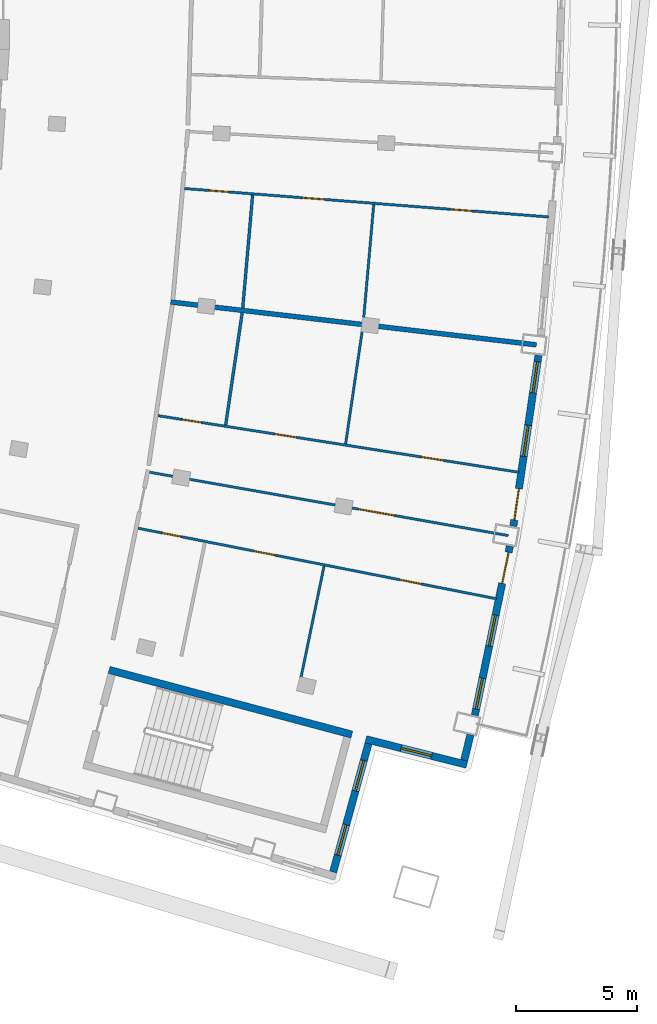
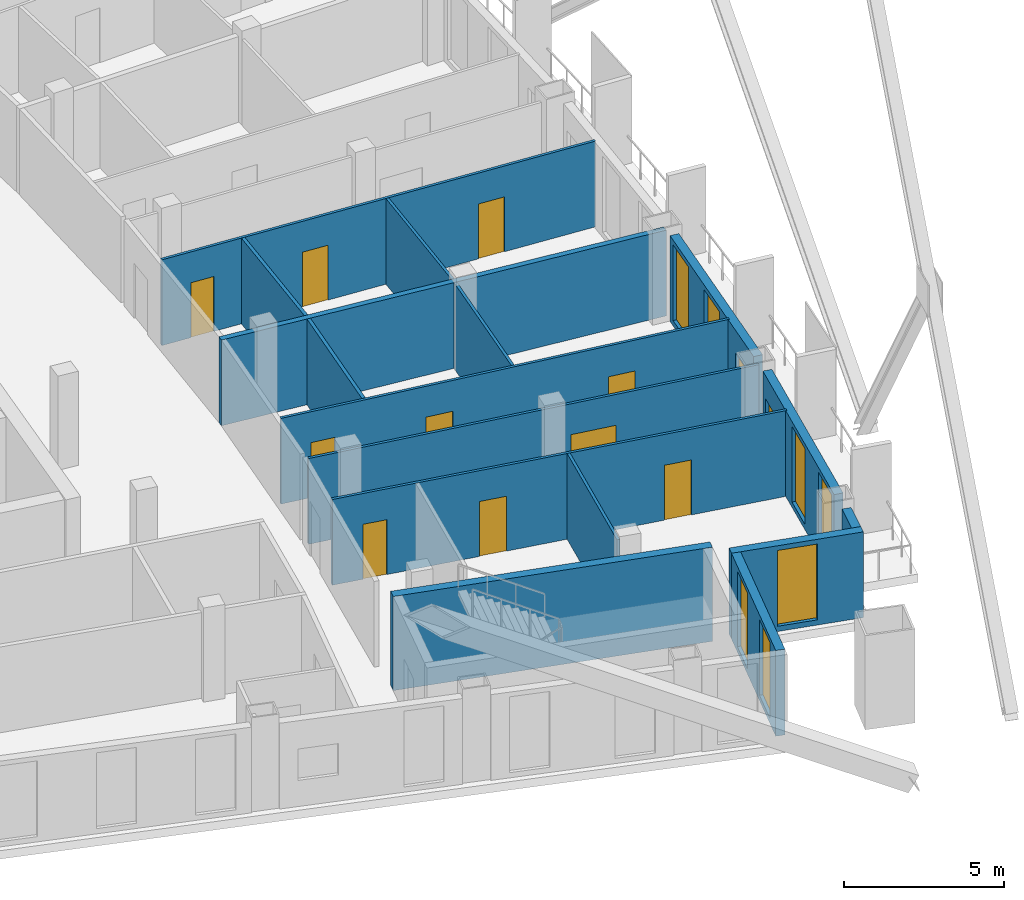
# One storey, part 9 of 21: 16 walls, 12 doors, 7 windows, 19 openings.
"""IFC4 building model written with IfcOpenShell, lengths in metres."""

from ifc_helpers import new_model, si_unit, direction, frame, frame_2d, origin, place, context, subcontext, project, spatial, rectangle, extrude, material, layer, layer_set, type_object, element, fill, save


model = new_model("IFC4")

# Units and contexts
model_context = context("Model", 3, precision=1e-05, world=origin(), true_north=direction((0.0, 1.0)))
body_context = subcontext(model_context, "Body", "Model", "MODEL_VIEW")
ifc_project = project(units=[si_unit("LENGTHUNIT", "METRE"), si_unit("AREAUNIT", "SQUARE_METRE"), si_unit("VOLUMEUNIT", "CUBIC_METRE"), si_unit("PLANEANGLEUNIT", "RADIAN"), si_unit("MASSUNIT", "GRAM", prefix="KILO")], contexts=[model_context])

# Site, building, storey
site_placement = place(None, origin())
site = spatial("IfcSite", under=ifc_project, at=site_placement, CompositionType="ELEMENT")
building_placement = place(site_placement, origin())
building = spatial("IfcBuilding", under=site, at=building_placement, Name="Alderwake Tower", CompositionType="ELEMENT")
storey_placement = place(building_placement, frame((0.0, 0.0, 267.199951171875)))
storey = spatial("IfcBuildingStorey", under=building, at=storey_placement, Name="L66", CompositionType="ELEMENT", Elevation=267.199951171875)

# Walls
ifc_material_1 = material(Name="Concrete C70/85", Category="concrete")
ifc_layer_1 = layer(ifc_material_1, 0.300048828125)
ifc_layer_set_1 = layer_set([ifc_layer_1], Name="Core wall stair enclosure 300 C70-85")
wall_type_1 = type_object("IfcWallType", Name="Core wall stair enclosure 300 C70-85", PredefinedType="SHEAR", material=ifc_layer_set_1)
wall_1_placement = place(storey_placement, frame((37.75390625, 31.731201171875, 0.0), z_axis=(0.0, 0.0, 1.0), x_axis=(0.966309214305, -0.257383958996, 0.0)))
element("IfcWall", 1, at=wall_1_placement, inside=storey, type_object=wall_type_1, Name="Core wall CW.086", PredefinedType="SHEAR", context=body_context, shape_type="SweptSolid", body=[
    extrude(rectangle(XDim=10.360107421875, YDim=0.300048828125, at=frame_2d((5.18017578125, 0.0))), origin(), (0.0, 0.0, 1.0), 3.60009765625),
])
ifc_material_2 = material(Name="Precast concrete C50/60 spandrel panel", Category="concrete")
ifc_layer_2 = layer(ifc_material_2, 0.300048828125)
ifc_layer_set_2 = layer_set([ifc_layer_2], Name="External wall EW1 Precast concrete C50/60 spandrel")
wall_type_2 = type_object("IfcWallType", Name="External wall EW1 Precast concrete C50/60 spandrel", PredefinedType="SOLIDWALL", material=ifc_layer_set_2)
wall_2_placement = place(storey_placement, frame((52.397216796875, 28.002685546875, 0.0), z_axis=(0.0, 0.0, 1.0), x_axis=(0.238401816039, 0.971166604713, 0.0)))
element("IfcWall", 2, at=wall_2_placement, inside=storey, type_object=wall_type_2, Name="External wall 11", PredefinedType="SOLIDWALL", context=body_context, shape_type="SweptSolid", body=[
    extrude(rectangle(XDim=1.08447265625, YDim=0.300048828125, at=frame_2d((0.542236328125, 0.0))), origin(), (0.0, 0.0, 1.0), 3.280029296875),
])

# Wall, openings, door, windows
wall_3_placement = place(storey_placement, frame((52.837890625, 29.86279296875, 0.0), z_axis=(0.0, 0.0, 1.0), x_axis=(0.202756509143, 0.979229185635, 0.0)))
wall_3 = element("IfcWall", 3, at=wall_3_placement, inside=storey, type_object=wall_type_2, Name="External wall 12", PredefinedType="SOLIDWALL", context=body_context, shape_type="SweptSolid", body=[
    extrude(rectangle(XDim=7.114990234375, YDim=0.300048828125, at=frame_2d((3.5576171875, 0.0))), origin(), (0.0, 0.0, 1.0), 3.280029296875),
])
opening_1_placement = place(wall_3_placement, frame((0.259521484375, 0.0, 0.199951171875)))
opening_1 = element("IfcOpeningElement", 4, at=opening_1_placement, cuts=wall_3, Name="Opening W1", PredefinedType="OPENING", context=body_context, shape_type="SweptSolid", body=[
    extrude(rectangle(XDim=1.300048828125, YDim=2.89990234375, at=frame_2d((0.64990234375, 1.449951171875))), frame((0.0, 0.159912109375, 0.0), z_axis=(0.0, -1.0, 0.0), x_axis=(1.0, 0.0, 0.0)), (0.0, 0.0, 1.0), 0.320068359375),
])
opening_2_placement = place(wall_3_placement, frame((2.907470703125, 0.0, 0.199951171875)))
opening_2 = element("IfcOpeningElement", 5, at=opening_2_placement, cuts=wall_3, Name="Opening W1", PredefinedType="OPENING", context=body_context, shape_type="SweptSolid", body=[
    extrude(rectangle(XDim=1.300048828125, YDim=2.89990234375, at=frame_2d((0.64990234375, 1.449951171875))), frame((0.0, 0.159912109375, 0.0), z_axis=(0.0, -1.0, 0.0), x_axis=(1.0, 0.0, 0.0)), (0.0, 0.0, 1.0), 0.320068359375),
])
opening_3_placement = place(wall_3_placement, frame((5.555419921875, 0.0, 0.0)))
opening_3 = element("IfcOpeningElement", 6, at=opening_3_placement, cuts=wall_3, Name="Opening D02", PredefinedType="OPENING", context=body_context, shape_type="SweptSolid", body=[
    extrude(rectangle(XDim=1.300048828125, YDim=2.39990234375, at=frame_2d((0.64990234375, 1.199951171875))), frame((0.0, 0.159912109375, 0.0), z_axis=(0.0, -1.0, 0.0), x_axis=(1.0, 0.0, 0.0)), (0.0, 0.0, 1.0), 0.320068359375),
])
ifc_material_3 = material(Name="Bronze tinted glass in aluminium frame", Category="aluminium")
door_type_1 = type_object("IfcDoorType", Name="Balcony door BD sliding", OperationType="SLIDING_TO_LEFT", PredefinedType="DOOR", material=ifc_material_3)
door_1_placement = place(opening_3_placement, origin())
door_1 = element("IfcDoor", 7, at=door_1_placement, inside=storey, type_object=door_type_1, Name="Door D02", OperationType="SLIDING_TO_LEFT", OverallHeight=2.39990234375, OverallWidth=1.300048828125, PredefinedType="DOOR", context=body_context, shape_type="SweptSolid", body=[
    extrude(rectangle(XDim=1.300048828125, YDim=2.39990234375, at=frame_2d((0.64990234375, 1.199951171875))), frame((0.0, 0.02490234375, 0.0), z_axis=(0.0, -1.0, 0.0), x_axis=(1.0, 0.0, 0.0)), (0.0, 0.0, 1.0), 0.050048828125),
])
fill(opening_3, door_1)
ifc_material_4 = material(Name="Bronze tinted glass in aluminium frame", Category="aluminium")
window_type = type_object("IfcWindowType", Name="Window W1 tall fixed and vent", PartitioningType="DOUBLE_PANEL_VERTICAL", PredefinedType="WINDOW", material=ifc_material_4)
window_1_placement = place(opening_1_placement, origin())
window_1 = element("IfcWindow", 8, at=window_1_placement, inside=storey, type_object=window_type, Name="Window W1 tall fixed and vent", OverallHeight=2.89990234375, OverallWidth=1.300048828125, PartitioningType="DOUBLE_PANEL_VERTICAL", PredefinedType="WINDOW", context=body_context, shape_type="SweptSolid", body=[
    extrude(rectangle(XDim=1.300048828125, YDim=2.89990234375, at=frame_2d((0.64990234375, 1.449951171875))), frame((0.0, 0.030029296875, 0.0), z_axis=(0.0, -1.0, 0.0), x_axis=(1.0, 0.0, 0.0)), (0.0, 0.0, 1.0), 0.06005859375),
])
fill(opening_1, window_1)
window_2_placement = place(opening_2_placement, origin())
window_2 = element("IfcWindow", 9, at=window_2_placement, inside=storey, type_object=window_type, Name="Window W1 tall fixed and vent", OverallHeight=2.89990234375, OverallWidth=1.300048828125, PartitioningType="DOUBLE_PANEL_VERTICAL", PredefinedType="WINDOW", context=body_context, shape_type="SweptSolid", body=[
    extrude(rectangle(XDim=1.300048828125, YDim=2.89990234375, at=frame_2d((0.64990234375, 1.449951171875))), frame((0.0, 0.030029296875, 0.0), z_axis=(0.0, -1.0, 0.0), x_axis=(1.0, 0.0, 0.0)), (0.0, 0.0, 1.0), 0.06005859375),
])
fill(opening_2, window_2)

wall_4_placement = place(storey_placement, frame((54.42724609375, 37.66015625, 0.0), z_axis=(0.0, 0.0, 1.0), x_axis=(0.145316175734, 0.98938526827, 0.0)))
wall_4 = element("IfcWall", 10, at=wall_4_placement, inside=storey, type_object=wall_type_2, Name="External wall 13", PredefinedType="SOLIDWALL", context=body_context, shape_type="SweptSolid", body=[
    extrude(rectangle(XDim=7.114990234375, YDim=0.300048828125, at=frame_2d((3.5576171875, 0.0))), origin(), (0.0, 0.0, 1.0), 3.280029296875),
])
opening_4_placement = place(wall_4_placement, frame((0.259521484375, 0.0, 0.0)))
opening_4 = element("IfcOpeningElement", 11, at=opening_4_placement, cuts=wall_4, Name="Opening D03", PredefinedType="OPENING", context=body_context, shape_type="SweptSolid", body=[
    extrude(rectangle(XDim=1.300048828125, YDim=2.39990234375, at=frame_2d((0.64990234375, 1.199951171875))), frame((0.0, 0.159912109375, 0.0), z_axis=(0.0, -1.0, 0.0), x_axis=(1.0, 0.0, 0.0)), (0.0, 0.0, 1.0), 0.320068359375),
])
opening_5_placement = place(wall_4_placement, frame((2.907470703125, 0.0, 0.199951171875)))
opening_5 = element("IfcOpeningElement", 12, at=opening_5_placement, cuts=wall_4, Name="Opening W1", PredefinedType="OPENING", context=body_context, shape_type="SweptSolid", body=[
    extrude(rectangle(XDim=1.300048828125, YDim=2.89990234375, at=frame_2d((0.64990234375, 1.449951171875))), frame((0.0, 0.159912109375, 0.0), z_axis=(0.0, -1.0, 0.0), x_axis=(1.0, 0.0, 0.0)), (0.0, 0.0, 1.0), 0.320068359375),
])
opening_6_placement = place(wall_4_placement, frame((5.555419921875, 0.0, 0.199951171875)))
opening_6 = element("IfcOpeningElement", 13, at=opening_6_placement, cuts=wall_4, Name="Opening W1", PredefinedType="OPENING", context=body_context, shape_type="SweptSolid", body=[
    extrude(rectangle(XDim=1.300048828125, YDim=2.89990234375, at=frame_2d((0.64990234375, 1.449951171875))), frame((0.0, 0.159912109375, 0.0), z_axis=(0.0, -1.0, 0.0), x_axis=(1.0, 0.0, 0.0)), (0.0, 0.0, 1.0), 0.320068359375),
])
door_2_placement = place(opening_4_placement, origin())
door_2 = element("IfcDoor", 14, at=door_2_placement, inside=storey, type_object=door_type_1, Name="Door D03", OperationType="SLIDING_TO_LEFT", OverallHeight=2.39990234375, OverallWidth=1.300048828125, PredefinedType="DOOR", context=body_context, shape_type="SweptSolid", body=[
    extrude(rectangle(XDim=1.300048828125, YDim=2.39990234375, at=frame_2d((0.64990234375, 1.199951171875))), frame((0.0, 0.02490234375, 0.0), z_axis=(0.0, -1.0, 0.0), x_axis=(1.0, 0.0, 0.0)), (0.0, 0.0, 1.0), 0.050048828125),
])
fill(opening_4, door_2)
window_3_placement = place(opening_5_placement, origin())
window_3 = element("IfcWindow", 15, at=window_3_placement, inside=storey, type_object=window_type, Name="Window W1 tall fixed and vent", OverallHeight=2.89990234375, OverallWidth=1.300048828125, PartitioningType="DOUBLE_PANEL_VERTICAL", PredefinedType="WINDOW", context=body_context, shape_type="SweptSolid", body=[
    extrude(rectangle(XDim=1.300048828125, YDim=2.89990234375, at=frame_2d((0.64990234375, 1.449951171875))), frame((0.0, 0.030029296875, 0.0), z_axis=(0.0, -1.0, 0.0), x_axis=(1.0, 0.0, 0.0)), (0.0, 0.0, 1.0), 0.06005859375),
])
fill(opening_5, window_3)
window_4_placement = place(opening_6_placement, origin())
window_4 = element("IfcWindow", 16, at=window_4_placement, inside=storey, type_object=window_type, Name="Window W1 tall fixed and vent", OverallHeight=2.89990234375, OverallWidth=1.300048828125, PartitioningType="DOUBLE_PANEL_VERTICAL", PredefinedType="WINDOW", context=body_context, shape_type="SweptSolid", body=[
    extrude(rectangle(XDim=1.300048828125, YDim=2.89990234375, at=frame_2d((0.64990234375, 1.449951171875))), frame((0.0, 0.030029296875, 0.0), z_axis=(0.0, -1.0, 0.0), x_axis=(1.0, 0.0, 0.0)), (0.0, 0.0, 1.0), 0.06005859375),
])
fill(opening_6, window_4)

# Wall, openings, windows
ifc_material_5 = material(Name="Bronze metal cladding on lightweight framing")
ifc_layer_3 = layer(ifc_material_5, 0.300048828125)
ifc_layer_set_3 = layer_set([ifc_layer_3], Name="External wall EW2 bronze metal cladding")
wall_type_3 = type_object("IfcWallType", Name="External wall EW2 bronze metal cladding", PredefinedType="SOLIDWALL", material=ifc_layer_set_3)
wall_5_placement = place(storey_placement, frame((46.993408203125, 23.39501953125, 0.0), z_axis=(0.0, 0.0, 1.0), x_axis=(0.265064561746, 0.964230666442, 0.0)))
wall_5 = element("IfcWall", 17, at=wall_5_placement, inside=storey, type_object=wall_type_3, Name="External wall 9", PredefinedType="SOLIDWALL", context=body_context, shape_type="SweptSolid", body=[
    extrude(rectangle(XDim=5.494140625, YDim=0.300048828125, at=frame_2d((2.7470703125, 0.0))), origin(), (0.0, 0.0, 1.0), 3.280029296875),
])
opening_7_placement = place(wall_5_placement, frame((0.7236328125, 0.0, 0.199951171875)))
opening_7 = element("IfcOpeningElement", 18, at=opening_7_placement, cuts=wall_5, Name="Opening W1", PredefinedType="OPENING", context=body_context, shape_type="SweptSolid", body=[
    extrude(rectangle(XDim=1.300048828125, YDim=2.89990234375, at=frame_2d((0.64990234375, 1.449951171875))), frame((0.0, 0.159912109375, 0.0), z_axis=(0.0, -1.0, 0.0), x_axis=(1.0, 0.0, 0.0)), (0.0, 0.0, 1.0), 0.320068359375),
])
opening_8_placement = place(wall_5_placement, frame((3.470703125, 0.0, 0.199951171875)))
opening_8 = element("IfcOpeningElement", 19, at=opening_8_placement, cuts=wall_5, Name="Opening W1", PredefinedType="OPENING", context=body_context, shape_type="SweptSolid", body=[
    extrude(rectangle(XDim=1.300048828125, YDim=2.89990234375, at=frame_2d((0.64990234375, 1.449951171875))), frame((0.0, 0.159912109375, 0.0), z_axis=(0.0, -1.0, 0.0), x_axis=(1.0, 0.0, 0.0)), (0.0, 0.0, 1.0), 0.320068359375),
])
window_5_placement = place(opening_7_placement, origin())
window_5 = element("IfcWindow", 20, at=window_5_placement, inside=storey, type_object=window_type, Name="Window W1 tall fixed and vent", OverallHeight=2.89990234375, OverallWidth=1.300048828125, PartitioningType="DOUBLE_PANEL_VERTICAL", PredefinedType="WINDOW", context=body_context, shape_type="SweptSolid", body=[
    extrude(rectangle(XDim=1.300048828125, YDim=2.89990234375, at=frame_2d((0.64990234375, 1.449951171875))), frame((0.0, 0.030029296875, 0.0), z_axis=(0.0, -1.0, 0.0), x_axis=(1.0, 0.0, 0.0)), (0.0, 0.0, 1.0), 0.06005859375),
])
fill(opening_7, window_5)
window_6_placement = place(opening_8_placement, origin())
window_6 = element("IfcWindow", 21, at=window_6_placement, inside=storey, type_object=window_type, Name="Window W1 tall fixed and vent", OverallHeight=2.89990234375, OverallWidth=1.300048828125, PartitioningType="DOUBLE_PANEL_VERTICAL", PredefinedType="WINDOW", context=body_context, shape_type="SweptSolid", body=[
    extrude(rectangle(XDim=1.300048828125, YDim=2.89990234375, at=frame_2d((0.64990234375, 1.449951171875))), frame((0.0, 0.030029296875, 0.0), z_axis=(0.0, -1.0, 0.0), x_axis=(1.0, 0.0, 0.0)), (0.0, 0.0, 1.0), 0.06005859375),
])
fill(opening_8, window_6)

# Wall, opening, window
wall_6_placement = place(storey_placement, frame((48.343994140625, 28.8740234375, 0.0), z_axis=(0.0, 0.0, 1.0), x_axis=(0.969429385377, -0.245370468408, 0.0)))
wall_6 = element("IfcWall", 22, at=wall_6_placement, inside=storey, type_object=wall_type_3, Name="External wall 10", PredefinedType="SOLIDWALL", context=body_context, shape_type="SweptSolid", body=[
    extrude(rectangle(XDim=4.29443359375, YDim=0.300048828125, at=frame_2d((2.147216796875, 0.0))), origin(), (0.0, 0.0, 1.0), 3.280029296875),
])
opening_9_placement = place(wall_6_placement, frame((1.4970703125, 0.0, 0.199951171875)))
opening_9 = element("IfcOpeningElement", 23, at=opening_9_placement, cuts=wall_6, Name="Opening W1", PredefinedType="OPENING", context=body_context, shape_type="SweptSolid", body=[
    extrude(rectangle(XDim=1.300048828125, YDim=2.89990234375, at=frame_2d((0.64990234375, 1.449951171875))), frame((0.0, 0.159912109375, 0.0), z_axis=(0.0, -1.0, 0.0), x_axis=(1.0, 0.0, 0.0)), (0.0, 0.0, 1.0), 0.320068359375),
])
window_7_placement = place(opening_9_placement, origin())
window_7 = element("IfcWindow", 24, at=window_7_placement, inside=storey, type_object=window_type, Name="Window W1 tall fixed and vent", OverallHeight=2.89990234375, OverallWidth=1.300048828125, PartitioningType="DOUBLE_PANEL_VERTICAL", PredefinedType="WINDOW", context=body_context, shape_type="SweptSolid", body=[
    extrude(rectangle(XDim=1.300048828125, YDim=2.89990234375, at=frame_2d((0.64990234375, 1.449951171875))), frame((0.0, 0.030029296875, 0.0), z_axis=(0.0, -1.0, 0.0), x_axis=(1.0, 0.0, 0.0)), (0.0, 0.0, 1.0), 0.06005859375),
])
fill(opening_9, window_7)

# Wall
ifc_material_6 = material(Name="Dense block masonry wall", Category="masonry")
ifc_layer_4 = layer(ifc_material_6, 0.199951171875)
ifc_layer_set_4 = layer_set([ifc_layer_4], Name="Party wall 200")
wall_type_4 = type_object("IfcWallType", Name="Party wall 200", PredefinedType="SOLIDWALL", material=ifc_layer_set_4)
wall_7_placement = place(storey_placement, frame((55.3740234375, 45.135009765625, 0.0), z_axis=(0.0, 0.0, 1.0), x_axis=(-0.993199152778, 0.116427844266, 0.0)))
element("IfcWall", 25, at=wall_7_placement, inside=storey, type_object=wall_type_4, Name="WL/L66/W01", PredefinedType="SOLIDWALL", context=body_context, shape_type="SweptSolid", body=[
    extrude(rectangle(XDim=15.1796875, YDim=0.199951171875, at=frame_2d((7.58984375, 0.0))), origin(), (0.0, 0.0, 1.0), 3.280029296875),
])

# Wall, openings, doors
ifc_material_7 = material(Name="Gypsum board on metal studs")
ifc_layer_5 = layer(ifc_material_7, 0.10009765625)
ifc_layer_set_5 = layer_set([ifc_layer_5], Name="Unit partition 100")
wall_type_5 = type_object("IfcWallType", Name="Unit partition 100", PredefinedType="PARTITIONING", material=ifc_layer_set_5)
wall_8_placement = place(storey_placement, frame((53.72705078125, 34.6650390625, 0.0), z_axis=(0.0, 0.0, 1.0), x_axis=(-0.981164801692, 0.193172544429, 0.0)))
wall_8 = element("IfcWall", 26, at=wall_8_placement, inside=storey, type_object=wall_type_5, Name="WL/L66/W38", PredefinedType="PARTITIONING", context=body_context, shape_type="SweptSolid", body=[
    extrude(rectangle(XDim=15.061279296875, YDim=0.10009765625, at=frame_2d((7.53076171875, 0.0))), origin(), (0.0, 0.0, 1.0), 3.280029296875),
])
opening_10_placement = place(wall_8_placement, frame((9.288330078125, 0.0, 0.0)))
opening_10 = element("IfcOpeningElement", 27, at=opening_10_placement, cuts=wall_8, Name="Opening R19-U03.1", PredefinedType="OPENING", context=body_context, shape_type="SweptSolid", body=[
    extrude(rectangle(XDim=0.89990234375, YDim=2.10009765625, at=frame_2d((0.449951171875, 1.050048828125))), frame((0.0, 0.06005859375, 0.0), z_axis=(0.0, -1.0, 0.0), x_axis=(1.0, 0.0, 0.0)), (0.0, 0.0, 1.0), 0.1201171875),
])
opening_11_placement = place(wall_8_placement, frame((13.251708984375, 0.0, 0.0)))
opening_11 = element("IfcOpeningElement", 28, at=opening_11_placement, cuts=wall_8, Name="Opening R19-U03.3", PredefinedType="OPENING", context=body_context, shape_type="SweptSolid", body=[
    extrude(rectangle(XDim=0.800048828125, YDim=2.10009765625, at=frame_2d((0.39990234375, 1.050048828125))), frame((0.0, 0.06005859375, 0.0), z_axis=(0.0, -1.0, 0.0), x_axis=(1.0, 0.0, 0.0)), (0.0, 0.0, 1.0), 0.1201171875),
])
opening_12_placement = place(wall_8_placement, frame((3.1669921875, 0.0, 0.0)))
opening_12 = element("IfcOpeningElement", 29, at=opening_12_placement, cuts=wall_8, Name="Opening R19-U03.4", PredefinedType="OPENING", context=body_context, shape_type="SweptSolid", body=[
    extrude(rectangle(XDim=0.89990234375, YDim=2.10009765625, at=frame_2d((0.449951171875, 1.050048828125))), frame((0.0, 0.06005859375, 0.0), z_axis=(0.0, -1.0, 0.0), x_axis=(1.0, 0.0, 0.0)), (0.0, 0.0, 1.0), 0.1201171875),
])
ifc_material_8 = material(Name="Painted timber leaf", Category="wood")
door_type_2 = type_object("IfcDoorType", Name="Bathroom door 800", OperationType="SINGLE_SWING_LEFT", PredefinedType="DOOR", material=ifc_material_8)
door_3_placement = place(opening_11_placement, origin())
door_3 = element("IfcDoor", 30, at=door_3_placement, inside=storey, type_object=door_type_2, Name="DR/L66/U03.3", OperationType="SINGLE_SWING_LEFT", OverallHeight=2.10009765625, OverallWidth=0.800048828125, PredefinedType="DOOR", context=body_context, shape_type="SweptSolid", body=[
    extrude(rectangle(XDim=0.800048828125, YDim=2.10009765625, at=frame_2d((0.39990234375, 1.050048828125))), frame((0.0, 0.02490234375, 0.0), z_axis=(0.0, -1.0, 0.0), x_axis=(1.0, 0.0, 0.0)), (0.0, 0.0, 1.0), 0.050048828125),
])
fill(opening_11, door_3)
ifc_material_9 = material(Name="Painted timber leaf", Category="wood")
door_type_3 = type_object("IfcDoorType", Name="Room door 900", OperationType="SINGLE_SWING_LEFT", PredefinedType="DOOR", material=ifc_material_9)
door_4_placement = place(opening_10_placement, origin())
door_4 = element("IfcDoor", 31, at=door_4_placement, inside=storey, type_object=door_type_3, Name="DR/L66/U03.1", OperationType="SINGLE_SWING_LEFT", OverallHeight=2.10009765625, OverallWidth=0.89990234375, PredefinedType="DOOR", context=body_context, shape_type="SweptSolid", body=[
    extrude(rectangle(XDim=0.89990234375, YDim=2.10009765625, at=frame_2d((0.449951171875, 1.050048828125))), frame((0.0, 0.02490234375, 0.0), z_axis=(0.0, -1.0, 0.0), x_axis=(1.0, 0.0, 0.0)), (0.0, 0.0, 1.0), 0.050048828125),
])
fill(opening_10, door_4)
door_5_placement = place(opening_12_placement, origin())
door_5 = element("IfcDoor", 32, at=door_5_placement, inside=storey, type_object=door_type_3, Name="DR/L66/U03.4", OperationType="SINGLE_SWING_LEFT", OverallHeight=2.10009765625, OverallWidth=0.89990234375, PredefinedType="DOOR", context=body_context, shape_type="SweptSolid", body=[
    extrude(rectangle(XDim=0.89990234375, YDim=2.10009765625, at=frame_2d((0.449951171875, 1.050048828125))), frame((0.0, 0.02490234375, 0.0), z_axis=(0.0, -1.0, 0.0), x_axis=(1.0, 0.0, 0.0)), (0.0, 0.0, 1.0), 0.050048828125),
])
fill(opening_12, door_5)

wall_9_placement = place(storey_placement, frame((39.76904296875, 42.215576171875, 0.0), z_axis=(0.0, 0.0, 1.0), x_axis=(0.987928768537, -0.154908838665, 0.0)))
wall_9 = element("IfcWall", 33, at=wall_9_placement, inside=storey, type_object=wall_type_5, Name="WL/L66/W40", PredefinedType="PARTITIONING", context=body_context, shape_type="SweptSolid", body=[
    extrude(rectangle(XDim=15.063720703125, YDim=0.10009765625, at=frame_2d((7.53173828125, 0.0))), origin(), (0.0, 0.0, 1.0), 3.280029296875),
])
opening_13_placement = place(wall_9_placement, frame((4.8740234375, 0.0, 0.0)))
opening_13 = element("IfcOpeningElement", 34, at=opening_13_placement, cuts=wall_9, Name="Opening R19-U03.5", PredefinedType="OPENING", context=body_context, shape_type="SweptSolid", body=[
    extrude(rectangle(XDim=0.89990234375, YDim=2.10009765625, at=frame_2d((0.449951171875, 1.050048828125))), frame((0.0, 0.06005859375, 0.0), z_axis=(0.0, -1.0, 0.0), x_axis=(1.0, 0.0, 0.0)), (0.0, 0.0, 1.0), 0.1201171875),
])
opening_14_placement = place(wall_9_placement, frame((1.010009765625, 0.0, 0.0)))
opening_14 = element("IfcOpeningElement", 35, at=opening_14_placement, cuts=wall_9, Name="Opening R19-U03.6", PredefinedType="OPENING", context=body_context, shape_type="SweptSolid", body=[
    extrude(rectangle(XDim=0.800048828125, YDim=2.10009765625, at=frame_2d((0.39990234375, 1.050048828125))), frame((0.0, 0.06005859375, 0.0), z_axis=(0.0, -1.0, 0.0), x_axis=(1.0, 0.0, 0.0)), (0.0, 0.0, 1.0), 0.1201171875),
])
opening_15_placement = place(wall_9_placement, frame((10.995849609375, 0.0, 0.0)))
opening_15 = element("IfcOpeningElement", 36, at=opening_15_placement, cuts=wall_9, Name="Opening R19-U03.7", PredefinedType="OPENING", context=body_context, shape_type="SweptSolid", body=[
    extrude(rectangle(XDim=0.89990234375, YDim=2.10009765625, at=frame_2d((0.449951171875, 1.050048828125))), frame((0.0, 0.06005859375, 0.0), z_axis=(0.0, -1.0, 0.0), x_axis=(1.0, 0.0, 0.0)), (0.0, 0.0, 1.0), 0.1201171875),
])
door_6_placement = place(opening_14_placement, origin())
door_6 = element("IfcDoor", 37, at=door_6_placement, inside=storey, type_object=door_type_2, Name="DR/L66/U03.6", OperationType="SINGLE_SWING_LEFT", OverallHeight=2.10009765625, OverallWidth=0.800048828125, PredefinedType="DOOR", context=body_context, shape_type="SweptSolid", body=[
    extrude(rectangle(XDim=0.800048828125, YDim=2.10009765625, at=frame_2d((0.39990234375, 1.050048828125))), frame((0.0, 0.02490234375, 0.0), z_axis=(0.0, -1.0, 0.0), x_axis=(1.0, 0.0, 0.0)), (0.0, 0.0, 1.0), 0.050048828125),
])
fill(opening_14, door_6)
door_7_placement = place(opening_13_placement, origin())
door_7 = element("IfcDoor", 38, at=door_7_placement, inside=storey, type_object=door_type_3, Name="DR/L66/U03.5", OperationType="SINGLE_SWING_LEFT", OverallHeight=2.10009765625, OverallWidth=0.89990234375, PredefinedType="DOOR", context=body_context, shape_type="SweptSolid", body=[
    extrude(rectangle(XDim=0.89990234375, YDim=2.10009765625, at=frame_2d((0.449951171875, 1.050048828125))), frame((0.0, 0.02490234375, 0.0), z_axis=(0.0, -1.0, 0.0), x_axis=(1.0, 0.0, 0.0)), (0.0, 0.0, 1.0), 0.050048828125),
])
fill(opening_13, door_7)
door_8_placement = place(opening_15_placement, origin())
door_8 = element("IfcDoor", 39, at=door_8_placement, inside=storey, type_object=door_type_3, Name="DR/L66/U03.7", OperationType="SINGLE_SWING_LEFT", OverallHeight=2.10009765625, OverallWidth=0.89990234375, PredefinedType="DOOR", context=body_context, shape_type="SweptSolid", body=[
    extrude(rectangle(XDim=0.89990234375, YDim=2.10009765625, at=frame_2d((0.449951171875, 1.050048828125))), frame((0.0, 0.02490234375, 0.0), z_axis=(0.0, -1.0, 0.0), x_axis=(1.0, 0.0, 0.0)), (0.0, 0.0, 1.0), 0.050048828125),
])
fill(opening_15, door_8)

wall_10_placement = place(storey_placement, frame((55.884033203125, 50.408935546875, 0.0), z_axis=(0.0, 0.0, 1.0), x_axis=(-0.996963596503, 0.077869039079, 0.0)))
wall_10 = element("IfcWall", 40, at=wall_10_placement, inside=storey, type_object=wall_type_5, Name="WL/L66/W42", PredefinedType="PARTITIONING", context=body_context, shape_type="SweptSolid", body=[
    extrude(rectangle(XDim=15.061767578125, YDim=0.10009765625, at=frame_2d((7.53076171875, 0.0))), origin(), (0.0, 0.0, 1.0), 3.280029296875),
])
opening_16_placement = place(wall_10_placement, frame((9.2890625, 0.0, 0.0)))
opening_16 = element("IfcOpeningElement", 41, at=opening_16_placement, cuts=wall_10, Name="Opening R19-U04.1", PredefinedType="OPENING", context=body_context, shape_type="SweptSolid", body=[
    extrude(rectangle(XDim=0.89990234375, YDim=2.10009765625, at=frame_2d((0.449951171875, 1.050048828125))), frame((0.0, 0.06005859375, 0.0), z_axis=(0.0, -1.0, 0.0), x_axis=(1.0, 0.0, 0.0)), (0.0, 0.0, 1.0), 0.1201171875),
])
opening_17_placement = place(wall_10_placement, frame((13.25244140625, 0.0, 0.0)))
opening_17 = element("IfcOpeningElement", 42, at=opening_17_placement, cuts=wall_10, Name="Opening R19-U04.3", PredefinedType="OPENING", context=body_context, shape_type="SweptSolid", body=[
    extrude(rectangle(XDim=0.800048828125, YDim=2.10009765625, at=frame_2d((0.39990234375, 1.050048828125))), frame((0.0, 0.06005859375, 0.0), z_axis=(0.0, -1.0, 0.0), x_axis=(1.0, 0.0, 0.0)), (0.0, 0.0, 1.0), 0.1201171875),
])
opening_18_placement = place(wall_10_placement, frame((3.16748046875, 0.0, 0.0)))
opening_18 = element("IfcOpeningElement", 43, at=opening_18_placement, cuts=wall_10, Name="Opening R19-U04.4", PredefinedType="OPENING", context=body_context, shape_type="SweptSolid", body=[
    extrude(rectangle(XDim=0.89990234375, YDim=2.10009765625, at=frame_2d((0.449951171875, 1.050048828125))), frame((0.0, 0.06005859375, 0.0), z_axis=(0.0, -1.0, 0.0), x_axis=(1.0, 0.0, 0.0)), (0.0, 0.0, 1.0), 0.1201171875),
])
door_9_placement = place(opening_17_placement, origin())
door_9 = element("IfcDoor", 44, at=door_9_placement, inside=storey, type_object=door_type_2, Name="DR/L66/U04.3", OperationType="SINGLE_SWING_LEFT", OverallHeight=2.10009765625, OverallWidth=0.800048828125, PredefinedType="DOOR", context=body_context, shape_type="SweptSolid", body=[
    extrude(rectangle(XDim=0.800048828125, YDim=2.10009765625, at=frame_2d((0.39990234375, 1.050048828125))), frame((0.0, 0.02490234375, 0.0), z_axis=(0.0, -1.0, 0.0), x_axis=(1.0, 0.0, 0.0)), (0.0, 0.0, 1.0), 0.050048828125),
])
fill(opening_17, door_9)
door_10_placement = place(opening_16_placement, origin())
door_10 = element("IfcDoor", 45, at=door_10_placement, inside=storey, type_object=door_type_3, Name="DR/L66/U04.1", OperationType="SINGLE_SWING_LEFT", OverallHeight=2.10009765625, OverallWidth=0.89990234375, PredefinedType="DOOR", context=body_context, shape_type="SweptSolid", body=[
    extrude(rectangle(XDim=0.89990234375, YDim=2.10009765625, at=frame_2d((0.449951171875, 1.050048828125))), frame((0.0, 0.02490234375, 0.0), z_axis=(0.0, -1.0, 0.0), x_axis=(1.0, 0.0, 0.0)), (0.0, 0.0, 1.0), 0.050048828125),
])
fill(opening_16, door_10)
door_11_placement = place(opening_18_placement, origin())
door_11 = element("IfcDoor", 46, at=door_11_placement, inside=storey, type_object=door_type_3, Name="DR/L66/U04.4", OperationType="SINGLE_SWING_LEFT", OverallHeight=2.10009765625, OverallWidth=0.89990234375, PredefinedType="DOOR", context=body_context, shape_type="SweptSolid", body=[
    extrude(rectangle(XDim=0.89990234375, YDim=2.10009765625, at=frame_2d((0.449951171875, 1.050048828125))), frame((0.0, 0.02490234375, 0.0), z_axis=(0.0, -1.0, 0.0), x_axis=(1.0, 0.0, 0.0)), (0.0, 0.0, 1.0), 0.050048828125),
])
fill(opening_18, door_11)

# Walls
wall_11_placement = place(storey_placement, frame((45.612060546875, 31.14599609375, 0.0), z_axis=(0.0, 0.0, 1.0), x_axis=(0.202543889805, 0.979273185941, 0.0)))
element("IfcWall", 47, at=wall_11_placement, inside=storey, type_object=wall_type_5, Name="WL/L66/W46", PredefinedType="PARTITIONING", context=body_context, shape_type="SweptSolid", body=[
    extrude(rectangle(XDim=4.970947265625, YDim=0.10009765625, at=frame_2d((2.4853515625, 0.0))), origin(), (0.0, 0.0, 1.0), 3.280029296875),
])
wall_12_placement = place(storey_placement, frame((47.50927734375, 41.053466796875, 0.0), z_axis=(0.0, 0.0, 1.0), x_axis=(0.14519530572, 0.989403013537, 0.0)))
element("IfcWall", 48, at=wall_12_placement, inside=storey, type_object=wall_type_5, Name="WL/L66/W48", PredefinedType="PARTITIONING", context=body_context, shape_type="SweptSolid", body=[
    extrude(rectangle(XDim=4.87109375, YDim=0.10009765625, at=frame_2d((2.435546875, 0.0))), origin(), (0.0, 0.0, 1.0), 3.280029296875),
])
wall_13_placement = place(storey_placement, frame((48.23974609375, 46.07177734375, 0.0), z_axis=(0.0, 0.0, 1.0), x_axis=(0.087827973978, 0.99613565692, 0.0)))
element("IfcWall", 49, at=wall_13_placement, inside=storey, type_object=wall_type_5, Name="WL/L66/W49", PredefinedType="PARTITIONING", context=body_context, shape_type="SweptSolid", body=[
    extrude(rectangle(XDim=4.8701171875, YDim=0.10009765625, at=frame_2d((2.43505859375, 0.0))), origin(), (0.0, 0.0, 1.0), 3.280029296875),
])

# Wall, opening, door
wall_14_placement = place(storey_placement, frame((39.4267578125, 39.883056640625, 0.0), z_axis=(0.0, 0.0, 1.0), x_axis=(0.984742299106, -0.174018976985, 0.0)))
wall_14 = element("IfcWall", 50, at=wall_14_placement, inside=storey, type_object=wall_type_5, Name="WL/L66/W54", PredefinedType="PARTITIONING", context=body_context, shape_type="SweptSolid", body=[
    extrude(rectangle(XDim=15.021484375, YDim=0.10009765625, at=frame_2d((7.5107421875, 0.0))), origin(), (0.0, 0.0, 1.0), 3.280029296875),
])
opening_19_placement = place(wall_14_placement, frame((8.75244140625, 0.0, 0.0)))
opening_19 = element("IfcOpeningElement", 51, at=opening_19_placement, cuts=wall_14, Name="Opening R19-U03.8", PredefinedType="OPENING", context=body_context, shape_type="SweptSolid", body=[
    extrude(rectangle(XDim=1.5, YDim=2.10009765625, at=frame_2d((0.75, 1.050048828125))), frame((0.0, 0.06005859375, 0.0), z_axis=(0.0, -1.0, 0.0), x_axis=(1.0, 0.0, 0.0)), (0.0, 0.0, 1.0), 0.1201171875),
])
ifc_material_10 = material(Name="Painted timber leaves", Category="wood")
door_type_4 = type_object("IfcDoorType", Name="Double leaf door 1500", OperationType="DOUBLE_DOOR_SINGLE_SWING", PredefinedType="DOOR", material=ifc_material_10)
door_12_placement = place(opening_19_placement, origin())
door_12 = element("IfcDoor", 52, at=door_12_placement, inside=storey, type_object=door_type_4, Name="DR/L66/U03.8", OperationType="DOUBLE_DOOR_SINGLE_SWING", OverallHeight=2.10009765625, OverallWidth=1.5, PredefinedType="DOOR", context=body_context, shape_type="SweptSolid", body=[
    extrude(rectangle(XDim=1.5, YDim=2.10009765625, at=frame_2d((0.75, 1.050048828125))), frame((0.0, 0.02490234375, 0.0), z_axis=(0.0, -1.0, 0.0), x_axis=(1.0, 0.0, 0.0)), (0.0, 0.0, 1.0), 0.050048828125),
])
fill(opening_19, door_12)

# Walls
ifc_material_11 = material(Name="Moisture resistant gypsum board on metal studs")
ifc_layer_6 = layer(ifc_material_11, 0.1201171875)
ifc_layer_set_6 = layer_set([ifc_layer_6], Name="Wet room partition 120")
wall_type_6 = type_object("IfcWallType", Name="Wet room partition 120", PredefinedType="PARTITIONING", material=ifc_layer_set_6)
for number, where, z_axis, x_axis, name in (
    (53, (42.562255859375, 41.83056640625, 0.0), (0.0, 0.0, 1.0), (0.145515042, 0.989356039326, 0.0), "WL/L66/W32"),
    (54, (43.265625, 46.65380859375, 0.0), (0.0, 0.0, 1.0), (0.087069112872, 0.996202273428, 0.0), "WL/L66/W33"),
):
    element("IfcWall", number, at=place(storey_placement, frame(where, z_axis=z_axis, x_axis=x_axis)), inside=storey, type_object=wall_type_6, Name=name, PredefinedType="PARTITIONING", context=body_context, shape_type="SweptSolid", body=[
        extrude(rectangle(XDim=4.67431640625, YDim=0.1201171875, at=frame_2d((2.337158203125, 0.0))), origin(), (0.0, 0.0, 1.0), 3.280029296875),
    ])

save(model, "model.ifc")
